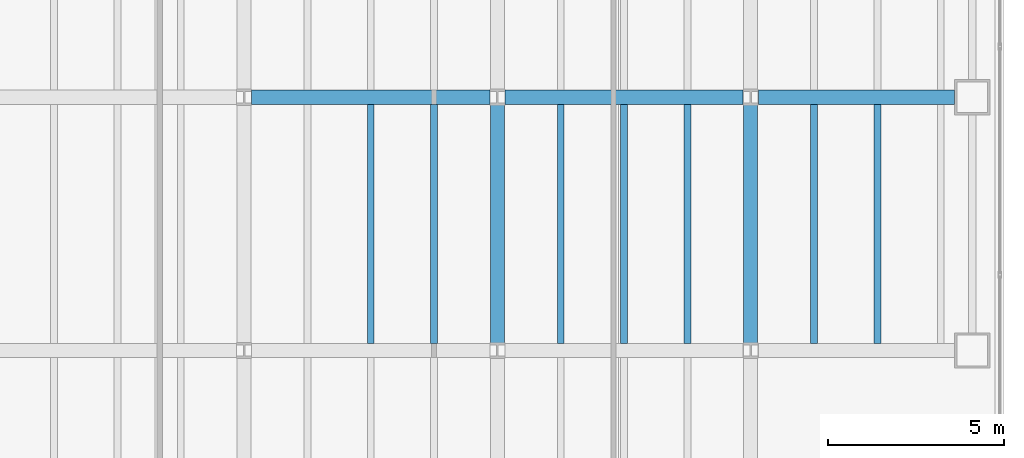
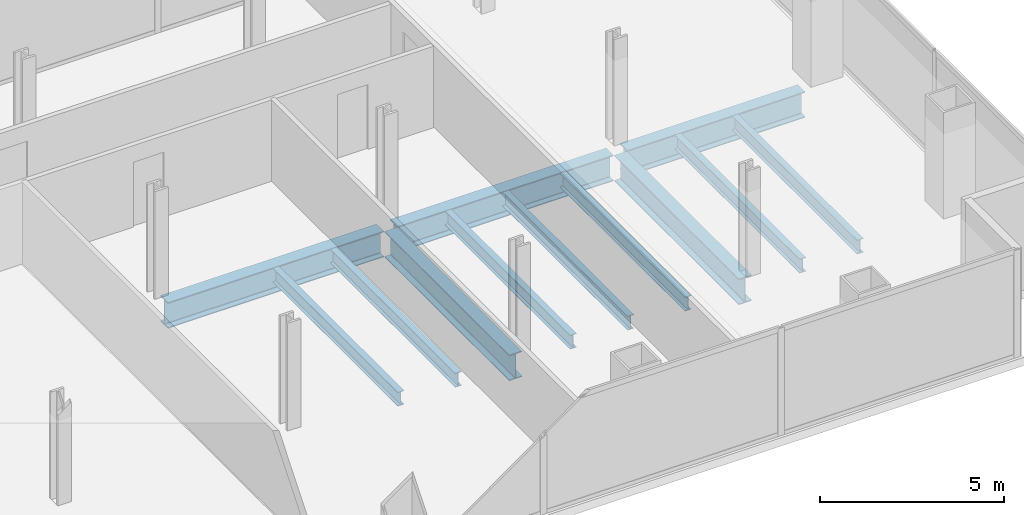
# One storey, part 9 of 24: 12 beams.
"""IFC4 building model written with IfcOpenShell, lengths in metres."""

from ifc_helpers import new_model, si_unit, direction, frame, origin, origin_2d, place, context, subcontext, project, spatial, i_section, extrude, material, material_profile, profile_set, type_object, element, save


model = new_model("IFC4")

# Units and contexts
model_context = context("Model", 3, precision=1e-05, world=origin(), true_north=direction((0.0, 1.0)))
body_context = subcontext(model_context, "Body", "Model", "MODEL_VIEW")
ifc_project = project(units=[si_unit("LENGTHUNIT", "METRE"), si_unit("AREAUNIT", "SQUARE_METRE"), si_unit("VOLUMEUNIT", "CUBIC_METRE"), si_unit("PLANEANGLEUNIT", "RADIAN"), si_unit("MASSUNIT", "GRAM", prefix="KILO")], contexts=[model_context])

# Site, building, storey
site_placement = place(None, origin())
site = spatial("IfcSite", under=ifc_project, at=site_placement, CompositionType="ELEMENT")
building_placement = place(site_placement, origin())
building = spatial("IfcBuilding", under=site, at=building_placement, Name="Cobrela Telecom Tower", CompositionType="ELEMENT")
storey_placement = place(building_placement, frame((0.0, 0.0, 69.64990234375)))
storey = spatial("IfcBuildingStorey", under=building, at=storey_placement, Name="L17", CompositionType="ELEMENT", Elevation=69.64990234375)

# Beams
ifc_material = material(Name="Steel ASTM A992 Grade 50", Category="steel")
ifc_material_profile_1 = material_profile(ifc_material, i_section(OverallWidth=0.39892578125, OverallDepth=0.85595703125, WebThickness=0.018310546875, FlangeThickness=0.029296875, FilletRadius=0.02001953125, at=origin_2d()), Name="W33X201")
ifc_profile_set_1 = profile_set([ifc_material_profile_1], Name="Steel ASTM A992 Grade 50")
beam_type_1 = type_object("IfcBeamType", Name="BM-GIRD-03", PredefinedType="USERDEFINED", material=ifc_profile_set_1)
for number, where, z_axis, x_axis, name in (
    (1, (29.01611328125, 14.39990234375, -0.7080078125), (1.0, 0.0, 0.0), (0.0, 1.0, 0.0), "L17 Primary Girder X15"),
    (2, (36.216064453125, 14.39990234375, -0.7080078125), (1.0, 0.0, 0.0), (0.0, 1.0, 0.0), "L17 Primary Girder X16"),
):
    element("IfcBeam", number, at=place(storey_placement, frame(where, z_axis=z_axis, x_axis=x_axis)), inside=storey, type_object=beam_type_1, Name=name, ObjectType="GIRDER", PredefinedType="USERDEFINED", context=body_context, shape_type="SweptSolid", body=[
        extrude(i_section(OverallWidth=0.39892578125, OverallDepth=0.85595703125, WebThickness=0.018310546875, FlangeThickness=0.029296875, FilletRadius=0.02001953125, at=origin_2d()), origin(), (0.0, 0.0, 1.0), 6.767822265625),
    ])
beam_placement = place(storey_placement, frame((43.416015625, 14.39990234375, -0.7080078125), z_axis=(1.0, 0.0, 0.0), x_axis=(0.0, 1.0, 0.0)))
element("IfcBeam", 3, at=beam_placement, inside=storey, type_object=beam_type_1, Name="L17 Primary Girder X17", ObjectType="GIRDER", PredefinedType="USERDEFINED", context=body_context, shape_type="SweptSolid", body=[
    extrude(i_section(OverallWidth=0.39892578125, OverallDepth=0.85595703125, WebThickness=0.018310546875, FlangeThickness=0.029296875, FilletRadius=0.02001953125, at=origin_2d()), origin(), (0.0, 0.0, 1.0), 5.5791015625),
])
for number, where, z_axis, x_axis, name in (
    (4, (36.0, 7.416015625, -0.7080078125), (0.0, 1.0, 0.0), (-1.0, 0.0, 0.0), "L17 Primary Girder Y51"),
    (5, (43.199951171875, 7.416015625, -0.7080078125), (0.0, 1.0, 0.0), (-1.0, 0.0, 0.0), "L17 Primary Girder Y54"),
):
    element("IfcBeam", number, at=place(storey_placement, frame(where, z_axis=z_axis, x_axis=x_axis)), inside=storey, type_object=beam_type_1, Name=name, ObjectType="GIRDER", PredefinedType="USERDEFINED", context=body_context, shape_type="SweptSolid", body=[
        extrude(i_section(OverallWidth=0.39892578125, OverallDepth=0.85595703125, WebThickness=0.018310546875, FlangeThickness=0.029296875, FilletRadius=0.02001953125, at=origin_2d()), origin(), (0.0, 0.0, 1.0), 6.76806640625),
    ])
ifc_material_profile_2 = material_profile(ifc_material, i_section(OverallWidth=0.193115234375, OverallDepth=0.467041015625, WebThickness=0.011474609375, FlangeThickness=0.01904296875, FilletRadius=0.012939453125, at=origin_2d()), Name="W18X65")
ifc_profile_set_2 = profile_set([ifc_material_profile_2], Name="Steel ASTM A992 Grade 50")
beam_type_2 = type_object("IfcBeamType", Name="BM-JOIST-03", PredefinedType="JOIST", material=ifc_profile_set_2)
for number, where, z_axis, x_axis, name in (
    (6, (32.39990234375, 7.404541015625, -0.513427734375), (0.0, 1.0, 0.0), (-1.0, 0.0, 0.0), "L17 Secondary Composite Floor Beam J45"),
    (7, (34.199951171875, 7.404541015625, -0.513427734375), (0.0, 1.0, 0.0), (-1.0, 0.0, 0.0), "L17 Secondary Composite Floor Beam J48"),
    (8, (37.800048828125, 7.404541015625, -0.513427734375), (0.0, 1.0, 0.0), (-1.0, 0.0, 0.0), "L17 Secondary Composite Floor Beam J51"),
    (9, (39.60009765625, 7.404541015625, -0.513427734375), (0.0, 1.0, 0.0), (-1.0, 0.0, 0.0), "L17 Secondary Composite Floor Beam J54"),
    (10, (41.39990234375, 7.404541015625, -0.513427734375), (0.0, 1.0, 0.0), (-1.0, 0.0, 0.0), "L17 Secondary Composite Floor Beam J57"),
    (11, (45.0, 7.404541015625, -0.513427734375), (0.0, 1.0, 0.0), (-1.0, 0.0, 0.0), "L17 Secondary Composite Floor Beam J59"),
    (12, (46.800048828125, 7.404541015625, -0.513427734375), (0.0, 1.0, 0.0), (-1.0, 0.0, 0.0), "L17 Secondary Composite Floor Beam J61"),
):
    element("IfcBeam", number, at=place(storey_placement, frame(where, z_axis=z_axis, x_axis=x_axis)), inside=storey, type_object=beam_type_2, Name=name, PredefinedType="JOIST", context=body_context, shape_type="SweptSolid", body=[
        extrude(i_section(OverallWidth=0.193115234375, OverallDepth=0.467041015625, WebThickness=0.011474609375, FlangeThickness=0.01904296875, FilletRadius=0.012939453125, at=origin_2d()), origin(), (0.0, 0.0, 1.0), 6.791015625),
    ])

save(model, "model.ifc")
